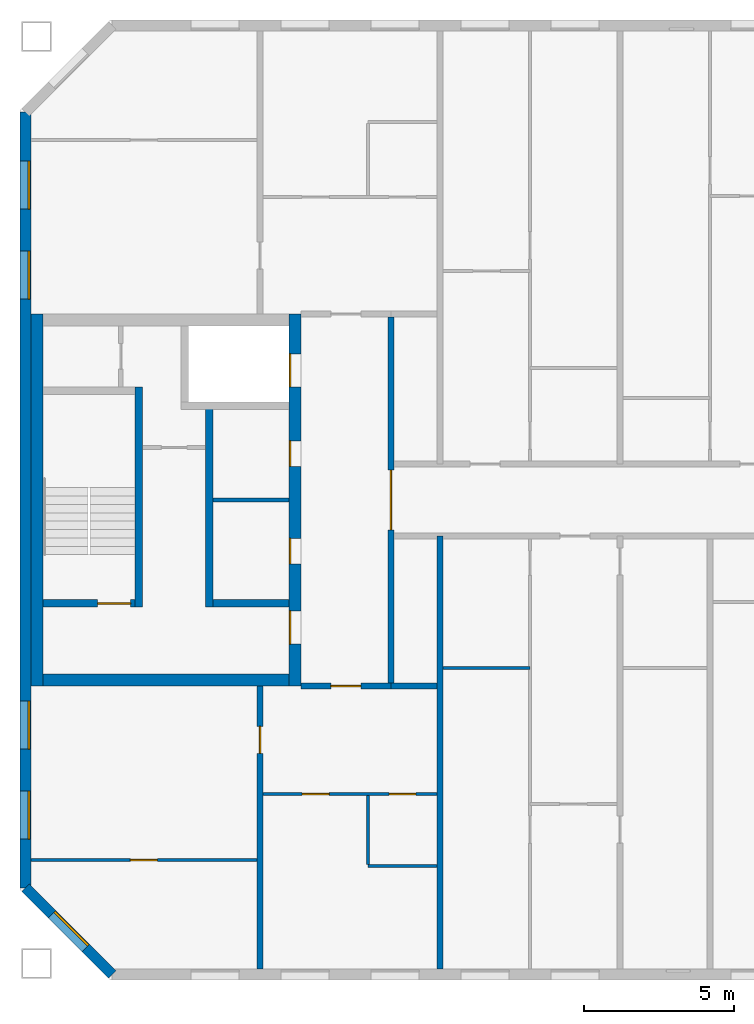
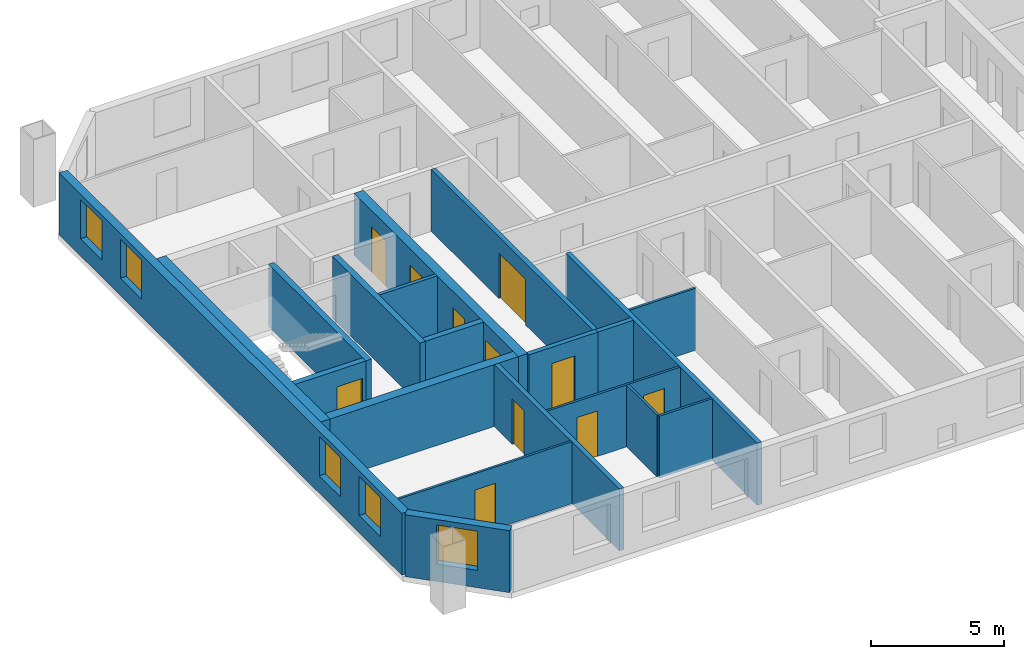
# One storey, part 4 of 19: 20 walls, 11 doors, 5 windows, 16 openings.
"""IFC4 building model written with IfcOpenShell, lengths in metres."""

from ifc_helpers import new_model, si_unit, direction, frame, frame_2d, origin, place, context, subcontext, project, spatial, rectangle, extrude, material, layer, layer_set, type_object, element, fill, save


model = new_model("IFC4")

# Units and contexts
model_context = context("Model", 3, precision=1e-05, world=origin(), true_north=direction((0.0, 1.0)))
body_context = subcontext(model_context, "Body", "Model", "MODEL_VIEW")
ifc_project = project(units=[si_unit("LENGTHUNIT", "METRE"), si_unit("AREAUNIT", "SQUARE_METRE"), si_unit("VOLUMEUNIT", "CUBIC_METRE"), si_unit("PLANEANGLEUNIT", "RADIAN"), si_unit("MASSUNIT", "GRAM", prefix="KILO")], contexts=[model_context])

# Site, building, storey
site_placement = place(None, origin())
site = spatial("IfcSite", under=ifc_project, at=site_placement, CompositionType="ELEMENT")
building_placement = place(site_placement, origin())
building = spatial("IfcBuilding", under=site, at=building_placement, Name="Tuart Gate Housing", CompositionType="ELEMENT")
storey_placement = place(building_placement, frame((0.0, 0.0, 233.800048828125)))
storey = spatial("IfcBuildingStorey", under=building, at=storey_placement, Name="L66", CompositionType="ELEMENT", Elevation=233.800048828125)

# Wall, opening, window
ifc_material_1 = material(Name="Brick", Category="masonry")
ifc_layer_1 = layer(ifc_material_1, 0.360107421875)
ifc_layer_set_1 = layer_set([ifc_layer_1], Name="Brick pier and spandrel wall 360")
wall_type_1 = type_object("IfcWallType", Name="Brick pier and spandrel wall 360", PredefinedType="STANDARD", material=ifc_layer_set_1)
wall_1_placement = place(storey_placement, frame((32.179931640625, 57.07470703125, 0.0), z_axis=(0.0, 0.0, 1.0), x_axis=(0.707106781187, -0.707106781187, 0.0)))
wall_1 = element("IfcWall", 1, at=wall_1_placement, inside=storey, type_object=wall_type_1, Name="External wall BLK-SW L66", PredefinedType="STANDARD", context=body_context, shape_type="SweptSolid", body=[
    extrude(rectangle(XDim=4.09375, YDim=0.360107421875, at=frame_2d((2.046875, 0.0))), origin(), (0.0, 0.0, 1.0), 2.849853515625),
])
opening_1_placement = place(wall_1_placement, frame((1.2470703125, 0.0, 0.800048828125)))
opening_1 = element("IfcOpeningElement", 2, at=opening_1_placement, cuts=wall_1, Name="Opening W1", PredefinedType="OPENING", context=body_context, shape_type="SweptSolid", body=[
    extrude(rectangle(XDim=1.60009765625, YDim=1.800048828125, at=frame_2d((0.800048828125, 0.89990234375))), frame((0.0, 0.18994140625, 0.0), z_axis=(0.0, -1.0, 0.0), x_axis=(1.0, 0.0, 0.0)), (0.0, 0.0, 1.0), 0.380126953125),
])
ifc_material_2 = material(Name="Aluminium frame with clear glass", Category="aluminium")
window_type = type_object("IfcWindowType", Name="Punched window 1600 x 1800", PartitioningType="SINGLE_PANEL", PredefinedType="WINDOW", material=ifc_material_2)
window_1_placement = place(opening_1_placement, origin())
window_1 = element("IfcWindow", 3, at=window_1_placement, inside=storey, type_object=window_type, Name="Window W1", OverallHeight=1.800048828125, OverallWidth=1.60009765625, PartitioningType="SINGLE_PANEL", PredefinedType="WINDOW", context=body_context, shape_type="SweptSolid", body=[
    extrude(rectangle(XDim=1.60009765625, YDim=1.800048828125, at=frame_2d((0.800048828125, 0.89990234375))), frame((0.0, 0.150146484375, 0.0), z_axis=(0.0, -1.0, 0.0), x_axis=(1.0, 0.0, 0.0)), (0.0, 0.0, 1.0), 0.06005859375),
])
fill(opening_1, window_1)

# Wall, openings, windows
wall_2_placement = place(storey_placement, frame((32.179931640625, 82.92529296875, 0.0), z_axis=(0.0, 0.0, 1.0), x_axis=(0.0, -1.0, 0.0)))
wall_2 = element("IfcWall", 4, at=wall_2_placement, inside=storey, type_object=wall_type_1, Name="External wall BLK-W L66", PredefinedType="STANDARD", context=body_context, shape_type="SweptSolid", body=[
    extrude(rectangle(XDim=25.850830078125, YDim=0.360107421875, at=frame_2d((12.92529296875, 0.0))), origin(), (0.0, 0.0, 1.0), 2.849853515625),
])
opening_2_placement = place(wall_2_placement, frame((1.62548828125, 0.0, 0.800048828125)))
opening_2 = element("IfcOpeningElement", 5, at=opening_2_placement, cuts=wall_2, Name="Opening W1", PredefinedType="OPENING", context=body_context, shape_type="SweptSolid", body=[
    extrude(rectangle(XDim=1.60009765625, YDim=1.800048828125, at=frame_2d((0.800048828125, 0.89990234375))), frame((0.0, 0.18994140625, 0.0), z_axis=(0.0, -1.0, 0.0), x_axis=(1.0, 0.0, 0.0)), (0.0, 0.0, 1.0), 0.380126953125),
])
opening_3_placement = place(wall_2_placement, frame((4.62548828125, 0.0, 0.800048828125)))
opening_3 = element("IfcOpeningElement", 6, at=opening_3_placement, cuts=wall_2, Name="Opening W1", PredefinedType="OPENING", context=body_context, shape_type="SweptSolid", body=[
    extrude(rectangle(XDim=1.60009765625, YDim=1.800048828125, at=frame_2d((0.800048828125, 0.89990234375))), frame((0.0, 0.18994140625, 0.0), z_axis=(0.0, -1.0, 0.0), x_axis=(1.0, 0.0, 0.0)), (0.0, 0.0, 1.0), 0.380126953125),
])
opening_4_placement = place(wall_2_placement, frame((19.62548828125, 0.0, 0.800048828125)))
opening_4 = element("IfcOpeningElement", 7, at=opening_4_placement, cuts=wall_2, Name="Opening W1", PredefinedType="OPENING", context=body_context, shape_type="SweptSolid", body=[
    extrude(rectangle(XDim=1.60009765625, YDim=1.800048828125, at=frame_2d((0.800048828125, 0.89990234375))), frame((0.0, 0.18994140625, 0.0), z_axis=(0.0, -1.0, 0.0), x_axis=(1.0, 0.0, 0.0)), (0.0, 0.0, 1.0), 0.380126953125),
])
opening_5_placement = place(wall_2_placement, frame((22.62548828125, 0.0, 0.800048828125)))
opening_5 = element("IfcOpeningElement", 8, at=opening_5_placement, cuts=wall_2, Name="Opening W1", PredefinedType="OPENING", context=body_context, shape_type="SweptSolid", body=[
    extrude(rectangle(XDim=1.60009765625, YDim=1.800048828125, at=frame_2d((0.800048828125, 0.89990234375))), frame((0.0, 0.18994140625, 0.0), z_axis=(0.0, -1.0, 0.0), x_axis=(1.0, 0.0, 0.0)), (0.0, 0.0, 1.0), 0.380126953125),
])
window_2_placement = place(opening_2_placement, origin())
window_2 = element("IfcWindow", 9, at=window_2_placement, inside=storey, type_object=window_type, Name="Window W1", OverallHeight=1.800048828125, OverallWidth=1.60009765625, PartitioningType="SINGLE_PANEL", PredefinedType="WINDOW", context=body_context, shape_type="SweptSolid", body=[
    extrude(rectangle(XDim=1.60009765625, YDim=1.800048828125, at=frame_2d((0.800048828125, 0.89990234375))), frame((0.0, 0.150146484375, 0.0), z_axis=(0.0, -1.0, 0.0), x_axis=(1.0, 0.0, 0.0)), (0.0, 0.0, 1.0), 0.06005859375),
])
fill(opening_2, window_2)
window_3_placement = place(opening_3_placement, origin())
window_3 = element("IfcWindow", 10, at=window_3_placement, inside=storey, type_object=window_type, Name="Window W1", OverallHeight=1.800048828125, OverallWidth=1.60009765625, PartitioningType="SINGLE_PANEL", PredefinedType="WINDOW", context=body_context, shape_type="SweptSolid", body=[
    extrude(rectangle(XDim=1.60009765625, YDim=1.800048828125, at=frame_2d((0.800048828125, 0.89990234375))), frame((0.0, 0.150146484375, 0.0), z_axis=(0.0, -1.0, 0.0), x_axis=(1.0, 0.0, 0.0)), (0.0, 0.0, 1.0), 0.06005859375),
])
fill(opening_3, window_3)
window_4_placement = place(opening_4_placement, origin())
window_4 = element("IfcWindow", 11, at=window_4_placement, inside=storey, type_object=window_type, Name="Window W1", OverallHeight=1.800048828125, OverallWidth=1.60009765625, PartitioningType="SINGLE_PANEL", PredefinedType="WINDOW", context=body_context, shape_type="SweptSolid", body=[
    extrude(rectangle(XDim=1.60009765625, YDim=1.800048828125, at=frame_2d((0.800048828125, 0.89990234375))), frame((0.0, 0.150146484375, 0.0), z_axis=(0.0, -1.0, 0.0), x_axis=(1.0, 0.0, 0.0)), (0.0, 0.0, 1.0), 0.06005859375),
])
fill(opening_4, window_4)
window_5_placement = place(opening_5_placement, origin())
window_5 = element("IfcWindow", 12, at=window_5_placement, inside=storey, type_object=window_type, Name="Window W1", OverallHeight=1.800048828125, OverallWidth=1.60009765625, PartitioningType="SINGLE_PANEL", PredefinedType="WINDOW", context=body_context, shape_type="SweptSolid", body=[
    extrude(rectangle(XDim=1.60009765625, YDim=1.800048828125, at=frame_2d((0.800048828125, 0.89990234375))), frame((0.0, 0.150146484375, 0.0), z_axis=(0.0, -1.0, 0.0), x_axis=(1.0, 0.0, 0.0)), (0.0, 0.0, 1.0), 0.06005859375),
])
fill(opening_5, window_5)

# Walls
ifc_material_3 = material(Name="Plasterboard partition")
ifc_layer_2 = layer(ifc_material_3, 0.14990234375)
ifc_layer_set_2 = layer_set([ifc_layer_2], Name="Core partition 150")
wall_type_2 = type_object("IfcWallType", Name="Core partition 150", PredefinedType="PARTITIONING", material=ifc_layer_set_2)
wall_3_placement = place(storey_placement, frame((40.9599609375, 70.0, 0.0), z_axis=(0.0, 0.0, 1.0), x_axis=(-1.0, 0.0, 0.0)))
element("IfcWall", 13, at=wall_3_placement, inside=storey, type_object=wall_type_2, Name="Core partition AK.4", PredefinedType="PARTITIONING", context=body_context, shape_type="SweptSolid", body=[
    extrude(rectangle(XDim=2.52490234375, YDim=0.14990234375, at=frame_2d((1.262451171875, 0.0))), origin(), (0.0, 0.0, 1.0), 2.849853515625),
])
ifc_material_4 = material(Name="Concrete C40", Category="concrete")
ifc_layer_3 = layer(ifc_material_4, 0.25)
ifc_layer_set_3 = layer_set([ifc_layer_3], Name="Core wall 250 C40")
wall_type_3 = type_object("IfcWallType", Name="Core wall 250 C40", PredefinedType="SHEAR", material=ifc_layer_set_3)
wall_4_placement = place(storey_placement, frame((40.9599609375, 66.550048828125, 0.0), z_axis=(0.0, 0.0, 1.0), x_axis=(-1.0, 0.0, 0.0)))
element("IfcWall", 14, at=wall_4_placement, inside=storey, type_object=wall_type_3, Name="Core wall AK.5", PredefinedType="SHEAR", context=body_context, shape_type="SweptSolid", body=[
    extrude(rectangle(XDim=2.52490234375, YDim=0.25, at=frame_2d((1.262451171875, 0.0))), origin(), (0.0, 0.0, 1.0), 2.849853515625),
])

# Wall, opening, door
wall_5_placement = place(storey_placement, frame((35.8349609375, 66.550048828125, 0.0), z_axis=(0.0, 0.0, 1.0), x_axis=(-1.0, 0.0, 0.0)))
wall_5 = element("IfcWall", 15, at=wall_5_placement, inside=storey, type_object=wall_type_3, Name="Core wall AK.6", PredefinedType="SHEAR", context=body_context, shape_type="SweptSolid", body=[
    extrude(rectangle(XDim=3.074951171875, YDim=0.25, at=frame_2d((1.53759765625, 0.0))), origin(), (0.0, 0.0, 1.0), 2.849853515625),
])
opening_6_placement = place(wall_5_placement, frame((0.14990234375, 0.0, 0.0)))
opening_6 = element("IfcOpeningElement", 16, at=opening_6_placement, cuts=wall_5, Name="Opening D2478", PredefinedType="OPENING", context=body_context, shape_type="SweptSolid", body=[
    extrude(rectangle(XDim=1.10009765625, YDim=2.10009765625, at=frame_2d((0.550048828125, 1.050048828125))), frame((0.0, 0.135009765625, 0.0), z_axis=(0.0, -1.0, 0.0), x_axis=(1.0, 0.0, 0.0)), (0.0, 0.0, 1.0), 0.27001953125),
])
ifc_material_5 = material(Name="Steel fire door", Category="steel")
door_type_1 = type_object("IfcDoorType", Name="Stair door 1100 x 2100 RH", OperationType="SINGLE_SWING_RIGHT", PredefinedType="DOOR", material=ifc_material_5)
door_1_placement = place(opening_6_placement, frame((1.10009765625, 0.0, 0.0), z_axis=(0.0, 0.0, 1.0), x_axis=(-1.0, 0.0, 0.0)))
door_1 = element("IfcDoor", 17, at=door_1_placement, inside=storey, type_object=door_type_1, Name="Stair door AK.SD", OperationType="SINGLE_SWING_RIGHT", OverallHeight=2.10009765625, OverallWidth=1.10009765625, PredefinedType="DOOR", context=body_context, shape_type="SweptSolid", body=[
    extrude(rectangle(XDim=1.10009765625, YDim=2.10009765625, at=frame_2d((0.550048828125, 1.050048828125))), frame((0.0, 0.025146484375, 0.0), z_axis=(0.0, -1.0, 0.0), x_axis=(1.0, 0.0, 0.0)), (0.0, 0.0, 1.0), 0.050048828125),
])
fill(opening_6, door_1)

# Walls
wall_6_placement = place(storey_placement, frame((38.31005859375, 73.02490234375, 0.0), z_axis=(0.0, 0.0, 1.0), x_axis=(0.0, -1.0, 0.0)))
element("IfcWall", 18, at=wall_6_placement, inside=storey, type_object=wall_type_3, Name="Core wall AK.7", PredefinedType="SHEAR", context=body_context, shape_type="SweptSolid", body=[
    extrude(rectangle(XDim=6.599853515625, YDim=0.25, at=frame_2d((3.2998046875, 0.0))), origin(), (0.0, 0.0, 1.0), 2.849853515625),
])
wall_7_placement = place(storey_placement, frame((35.9599609375, 73.77490234375, 0.0), z_axis=(0.0, 0.0, 1.0), x_axis=(0.0, -1.0, 0.0)))
element("IfcWall", 19, at=wall_7_placement, inside=storey, type_object=wall_type_3, Name="Core wall AK.9", PredefinedType="SHEAR", context=body_context, shape_type="SweptSolid", body=[
    extrude(rectangle(XDim=7.349853515625, YDim=0.25, at=frame_2d((3.6748046875, 0.0))), origin(), (0.0, 0.0, 1.0), 2.849853515625),
])

# Wall, openings, doors
ifc_material_6 = material(Name="Concrete C40", Category="concrete")
ifc_layer_4 = layer(ifc_material_6, 0.39990234375)
ifc_layer_set_4 = layer_set([ifc_layer_4], Name="Core wall 400 C40")
wall_type_4 = type_object("IfcWallType", Name="Core wall 400 C40", PredefinedType="SHEAR", material=ifc_layer_set_4)
wall_8_placement = place(storey_placement, frame((41.159912109375, 76.199951171875, 0.0), z_axis=(0.0, 0.0, 1.0), x_axis=(0.0, -1.0, 0.0)))
wall_8 = element("IfcWall", 20, at=wall_8_placement, inside=storey, type_object=wall_type_4, Name="Core wall AK front", PredefinedType="SHEAR", context=body_context, shape_type="SweptSolid", body=[
    extrude(rectangle(XDim=12.39990234375, YDim=0.39990234375, at=frame_2d((6.199951171875, 0.0))), origin(), (0.0, 0.0, 1.0), 2.849853515625),
])
opening_7_placement = place(wall_8_placement, frame((1.324951171875, 0.0, 0.0)))
opening_7 = element("IfcOpeningElement", 21, at=opening_7_placement, cuts=wall_8, Name="Opening LD-FA2", PredefinedType="OPENING", context=body_context, shape_type="SweptSolid", body=[
    extrude(rectangle(XDim=1.10009765625, YDim=2.10009765625, at=frame_2d((0.550048828125, 1.050048828125))), frame((0.0, 0.2099609375, 0.0), z_axis=(0.0, -1.0, 0.0), x_axis=(1.0, 0.0, 0.0)), (0.0, 0.0, 1.0), 0.419921875),
])
opening_8_placement = place(wall_8_placement, frame((4.22509765625, 0.0, 0.0)))
opening_8 = element("IfcOpeningElement", 22, at=opening_8_placement, cuts=wall_8, Name="Opening D2469", PredefinedType="OPENING", context=body_context, shape_type="SweptSolid", body=[
    extrude(rectangle(XDim=0.85009765625, YDim=2.10009765625, at=frame_2d((0.425048828125, 1.050048828125))), frame((0.0, 0.2099609375, 0.0), z_axis=(0.0, -1.0, 0.0), x_axis=(1.0, 0.0, 0.0)), (0.0, 0.0, 1.0), 0.419921875),
])
opening_9_placement = place(wall_8_placement, frame((7.47509765625, 0.0, 0.0)))
opening_9 = element("IfcOpeningElement", 23, at=opening_9_placement, cuts=wall_8, Name="Opening D2470", PredefinedType="OPENING", context=body_context, shape_type="SweptSolid", body=[
    extrude(rectangle(XDim=0.85009765625, YDim=2.10009765625, at=frame_2d((0.425048828125, 1.050048828125))), frame((0.0, 0.2099609375, 0.0), z_axis=(0.0, -1.0, 0.0), x_axis=(1.0, 0.0, 0.0)), (0.0, 0.0, 1.0), 0.419921875),
])
opening_10_placement = place(wall_8_placement, frame((9.89990234375, 0.0, 0.0)))
opening_10 = element("IfcOpeningElement", 24, at=opening_10_placement, cuts=wall_8, Name="Opening D2468", PredefinedType="OPENING", context=body_context, shape_type="SweptSolid", body=[
    extrude(rectangle(XDim=1.10009765625, YDim=2.10009765625, at=frame_2d((0.550048828125, 1.050048828125))), frame((0.0, 0.2099609375, 0.0), z_axis=(0.0, -1.0, 0.0), x_axis=(1.0, 0.0, 0.0)), (0.0, 0.0, 1.0), 0.419921875),
])
ifc_material_7 = material(Name="Stainless steel", Category="steel")
door_type_2 = type_object("IfcDoorType", Name="Landing door 1100 x 2100", OperationType="DOUBLE_DOOR_SLIDING", PredefinedType="DOOR", material=ifc_material_7)
door_2_placement = place(opening_7_placement, origin())
door_2 = element("IfcDoor", 25, at=door_2_placement, inside=storey, type_object=door_type_2, Name="Lift landing door FA2", OperationType="DOUBLE_DOOR_SLIDING", OverallHeight=2.10009765625, OverallWidth=1.10009765625, PredefinedType="DOOR", context=body_context, shape_type="SweptSolid", body=[
    extrude(rectangle(XDim=1.10009765625, YDim=2.10009765625, at=frame_2d((0.550048828125, 1.050048828125))), frame((0.0, -0.134765625, 0.0), z_axis=(0.0, -1.0, 0.0), x_axis=(1.0, 0.0, 0.0)), (0.0, 0.0, 1.0), 0.050048828125),
])
fill(opening_7, door_2)
ifc_material_8 = material(Name="Steel fire door", Category="steel")
door_type_3 = type_object("IfcDoorType", Name="Lobby door 1100 x 2100 RH", OperationType="SINGLE_SWING_RIGHT", PredefinedType="DOOR", material=ifc_material_8)
door_3_placement = place(opening_10_placement, frame((1.10009765625, 0.0, 0.0), z_axis=(0.0, 0.0, 1.0), x_axis=(-1.0, 0.0, 0.0)))
door_3 = element("IfcDoor", 26, at=door_3_placement, inside=storey, type_object=door_type_3, Name="Lobby entry door AK.EN", OperationType="SINGLE_SWING_RIGHT", OverallHeight=2.10009765625, OverallWidth=1.10009765625, PredefinedType="DOOR", context=body_context, shape_type="SweptSolid", body=[
    extrude(rectangle(XDim=1.10009765625, YDim=2.10009765625, at=frame_2d((0.550048828125, 1.050048828125))), frame((0.0, 0.184814453125, 0.0), z_axis=(0.0, -1.0, 0.0), x_axis=(1.0, 0.0, 0.0)), (0.0, 0.0, 1.0), 0.050048828125),
])
fill(opening_10, door_3)
ifc_material_9 = material(Name="Steel fire door", Category="steel")
door_type_4 = type_object("IfcDoorType", Name="Service door 850 x 2100 RH", OperationType="SINGLE_SWING_RIGHT", PredefinedType="DOOR", material=ifc_material_9)
door_4_placement = place(opening_8_placement, frame((0.85009765625, 0.0, 0.0), z_axis=(0.0, 0.0, 1.0), x_axis=(-1.0, 0.0, 0.0)))
door_4 = element("IfcDoor", 27, at=door_4_placement, inside=storey, type_object=door_type_4, Name="Service room door AK.FR1", OperationType="SINGLE_SWING_RIGHT", OverallHeight=2.10009765625, OverallWidth=0.85009765625, PredefinedType="DOOR", context=body_context, shape_type="SweptSolid", body=[
    extrude(rectangle(XDim=0.85009765625, YDim=2.10009765625, at=frame_2d((0.425048828125, 1.050048828125))), frame((0.0, 0.184814453125, 0.0), z_axis=(0.0, -1.0, 0.0), x_axis=(1.0, 0.0, 0.0)), (0.0, 0.0, 1.0), 0.050048828125),
])
fill(opening_8, door_4)
door_5_placement = place(opening_9_placement, frame((0.85009765625, 0.0, 0.0), z_axis=(0.0, 0.0, 1.0), x_axis=(-1.0, 0.0, 0.0)))
door_5 = element("IfcDoor", 28, at=door_5_placement, inside=storey, type_object=door_type_4, Name="Service room door AK.FR2", OperationType="SINGLE_SWING_RIGHT", OverallHeight=2.10009765625, OverallWidth=0.85009765625, PredefinedType="DOOR", context=body_context, shape_type="SweptSolid", body=[
    extrude(rectangle(XDim=0.85009765625, YDim=2.10009765625, at=frame_2d((0.425048828125, 1.050048828125))), frame((0.0, 0.184814453125, 0.0), z_axis=(0.0, -1.0, 0.0), x_axis=(1.0, 0.0, 0.0)), (0.0, 0.0, 1.0), 0.050048828125),
])
fill(opening_9, door_5)

# Walls
wall_9_placement = place(storey_placement, frame((32.56005859375, 76.199951171875, 0.0), z_axis=(0.0, 0.0, 1.0), x_axis=(0.0, -1.0, 0.0)))
element("IfcWall", 29, at=wall_9_placement, inside=storey, type_object=wall_type_4, Name="Core wall AK back", PredefinedType="SHEAR", context=body_context, shape_type="SweptSolid", body=[
    extrude(rectangle(XDim=12.39990234375, YDim=0.39990234375, at=frame_2d((6.199951171875, 0.0))), origin(), (0.0, 0.0, 1.0), 2.849853515625),
])
wall_10_placement = place(storey_placement, frame((40.9599609375, 64.0, 0.0), z_axis=(0.0, 0.0, 1.0), x_axis=(-1.0, 0.0, 0.0)))
element("IfcWall", 30, at=wall_10_placement, inside=storey, type_object=wall_type_4, Name="Core wall AK north", PredefinedType="SHEAR", context=body_context, shape_type="SweptSolid", body=[
    extrude(rectangle(XDim=8.199951171875, YDim=0.39990234375, at=frame_2d((4.10009765625, 0.0))), origin(), (0.0, 0.0, 1.0), 2.849853515625),
])

# Wall, opening, door
ifc_material_10 = material(Name="Concrete masonry 15 MPa", Category="masonry")
ifc_layer_5 = layer(ifc_material_10, 0.199951171875)
ifc_layer_set_5 = layer_set([ifc_layer_5], Name="Enclosure wall masonry 200")
wall_type_5 = type_object("IfcWallType", Name="Enclosure wall masonry 200", PredefinedType="PARTITIONING", material=ifc_layer_set_5)
wall_11_placement = place(storey_placement, frame((41.360107421875, 63.800048828125, 0.0), z_axis=(0.0, 0.0, 1.0), x_axis=(1.0, 0.0, 0.0)))
wall_11 = element("IfcWall", 31, at=wall_11_placement, inside=storey, type_object=wall_type_5, Name="Enclosure wall masonry 200", PredefinedType="PARTITIONING", context=body_context, shape_type="SweptSolid", body=[
    extrude(rectangle(XDim=3.0, YDim=0.199951171875, at=frame_2d((1.5, 0.0))), origin(), (0.0, 0.0, 1.0), 2.849853515625),
])
opening_11_placement = place(wall_11_placement, frame((1.0, 0.0, 0.0)))
opening_11 = element("IfcOpeningElement", 32, at=opening_11_placement, cuts=wall_11, Name="Opening D2479", PredefinedType="OPENING", context=body_context, shape_type="SweptSolid", body=[
    extrude(rectangle(XDim=1.0, YDim=2.10009765625, at=frame_2d((0.5, 1.050048828125))), frame((0.0, 0.10986328125, 0.0), z_axis=(0.0, -1.0, 0.0), x_axis=(1.0, 0.0, 0.0)), (0.0, 0.0, 1.0), 0.219970703125),
])
ifc_material_11 = material(Name="Timber door leaf in steel frame", Category="steel")
door_type_5 = type_object("IfcDoorType", Name="Flat entrance door 1000 RH", OperationType="SINGLE_SWING_RIGHT", PredefinedType="DOOR", material=ifc_material_11)
door_6_placement = place(opening_11_placement, frame((1.0, 0.0, 0.0), z_axis=(0.0, 0.0, 1.0), x_axis=(-1.0, 0.0, 0.0)))
door_6 = element("IfcDoor", 33, at=door_6_placement, inside=storey, type_object=door_type_5, Name="Flat entrance door", OperationType="SINGLE_SWING_RIGHT", OverallHeight=2.10009765625, OverallWidth=1.0, PredefinedType="DOOR", context=body_context, shape_type="SweptSolid", body=[
    extrude(rectangle(XDim=1.0, YDim=2.10009765625, at=frame_2d((0.5, 1.050048828125))), frame((0.0, 0.025146484375, 0.0), z_axis=(0.0, -1.0, 0.0), x_axis=(1.0, 0.0, 0.0)), (0.0, 0.0, 1.0), 0.050048828125),
])
fill(opening_11, door_6)

ifc_material_12 = material(Name="Plasterboard partition")
ifc_layer_6 = layer(ifc_material_12, 0.199951171875)
ifc_layer_set_6 = layer_set([ifc_layer_6], Name="Lobby wall 200")
wall_type_6 = type_object("IfcWallType", Name="Lobby wall 200", PredefinedType="PARTITIONING", material=ifc_layer_set_6)
wall_12_placement = place(storey_placement, frame((44.360107421875, 63.89990234375, 0.0), z_axis=(0.0, 0.0, 1.0), x_axis=(0.0, 1.0, 0.0)))
wall_12 = element("IfcWall", 34, at=wall_12_placement, inside=storey, type_object=wall_type_6, Name="Lift lobby wall AK", PredefinedType="PARTITIONING", context=body_context, shape_type="SweptSolid", body=[
    extrude(rectangle(XDim=12.2001953125, YDim=0.199951171875, at=frame_2d((6.10009765625, 0.0))), origin(), (0.0, 0.0, 1.0), 2.849853515625),
])
opening_12_placement = place(wall_12_placement, frame((5.10009765625, 0.0, 0.0)))
opening_12 = element("IfcOpeningElement", 35, at=opening_12_placement, cuts=wall_12, Name="Opening D2471", PredefinedType="OPENING", context=body_context, shape_type="SweptSolid", body=[
    extrude(rectangle(XDim=2.0, YDim=2.10009765625, at=frame_2d((1.0, 1.050048828125))), frame((0.0, 0.10986328125, 0.0), z_axis=(0.0, -1.0, 0.0), x_axis=(1.0, 0.0, 0.0)), (0.0, 0.0, 1.0), 0.219970703125),
])
ifc_material_13 = material(Name="Steel fire door", Category="steel")
door_type_6 = type_object("IfcDoorType", Name="Smoke door 2000 x 2100", OperationType="DOUBLE_DOOR_SINGLE_SWING", PredefinedType="DOOR", material=ifc_material_13)
door_7_placement = place(opening_12_placement, origin())
door_7 = element("IfcDoor", 36, at=door_7_placement, inside=storey, type_object=door_type_6, Name="Lift lobby smoke door AK", OperationType="DOUBLE_DOOR_SINGLE_SWING", OverallHeight=2.10009765625, OverallWidth=2.0, PredefinedType="DOOR", context=body_context, shape_type="SweptSolid", body=[
    extrude(rectangle(XDim=2.0, YDim=2.10009765625, at=frame_2d((1.0, 1.050048828125))), frame((0.0, 0.02490234375, 0.0), z_axis=(0.0, -1.0, 0.0), x_axis=(1.0, 0.0, 0.0)), (0.0, 0.0, 1.0), 0.050048828125),
])
fill(opening_12, door_7)

# Wall
ifc_material_14 = material(Name="Gypsum board on steel studs", Category="steel")
ifc_layer_7 = layer(ifc_material_14, 0.10009765625)
ifc_layer_set_7 = layer_set([ifc_layer_7], Name="Partition 100")
wall_type_7 = type_object("IfcWallType", Name="Partition 100", PredefinedType="PARTITIONING", material=ifc_layer_set_7)
wall_13_placement = place(storey_placement, frame((43.60009765625, 57.800048828125, 0.0), z_axis=(0.0, 0.0, 1.0), x_axis=(1.0, 0.0, 0.0)))
element("IfcWall", 37, at=wall_13_placement, inside=storey, type_object=wall_type_7, Name="Partition 100", PredefinedType="PARTITIONING", context=body_context, shape_type="SweptSolid", body=[
    extrude(rectangle(XDim=2.2998046875, YDim=0.10009765625, at=frame_2d((1.14990234375, 0.0))), origin(), (0.0, 0.0, 1.0), 2.849853515625),
])

# Wall, opening, door
wall_14_placement = place(storey_placement, frame((32.360107421875, 58.0, 0.0), z_axis=(0.0, 0.0, 1.0), x_axis=(1.0, 0.0, 0.0)))
wall_14 = element("IfcWall", 38, at=wall_14_placement, inside=storey, type_object=wall_type_7, Name="Partition 100", PredefinedType="PARTITIONING", context=body_context, shape_type="SweptSolid", body=[
    extrude(rectangle(XDim=7.539794921875, YDim=0.10009765625, at=frame_2d((3.77001953125, 0.0))), origin(), (0.0, 0.0, 1.0), 2.849853515625),
])
opening_13_placement = place(wall_14_placement, frame((3.320068359375, 0.0, 0.0)))
opening_13 = element("IfcOpeningElement", 39, at=opening_13_placement, cuts=wall_14, Name="Opening D2498", PredefinedType="OPENING", context=body_context, shape_type="SweptSolid", body=[
    extrude(rectangle(XDim=0.89990234375, YDim=2.10009765625, at=frame_2d((0.449951171875, 1.050048828125))), frame((0.0, 0.06005859375, 0.0), z_axis=(0.0, -1.0, 0.0), x_axis=(1.0, 0.0, 0.0)), (0.0, 0.0, 1.0), 0.1201171875),
])
ifc_material_15 = material(Name="Timber door leaf in steel frame", Category="steel")
door_type_7 = type_object("IfcDoorType", Name="Internal door 900 RH", OperationType="SINGLE_SWING_RIGHT", PredefinedType="DOOR", material=ifc_material_15)
door_8_placement = place(opening_13_placement, frame((0.89990234375, 0.0, 0.0), z_axis=(0.0, 0.0, 1.0), x_axis=(-1.0, 0.0, 0.0)))
door_8 = element("IfcDoor", 40, at=door_8_placement, inside=storey, type_object=door_type_7, Name="Internal door", OperationType="SINGLE_SWING_RIGHT", OverallHeight=2.10009765625, OverallWidth=0.89990234375, PredefinedType="DOOR", context=body_context, shape_type="SweptSolid", body=[
    extrude(rectangle(XDim=0.89990234375, YDim=2.10009765625, at=frame_2d((0.449951171875, 1.050048828125))), frame((0.0, 0.025146484375, 0.0), z_axis=(0.0, -1.0, 0.0), x_axis=(1.0, 0.0, 0.0)), (0.0, 0.0, 1.0), 0.050048828125),
])
fill(opening_13, door_8)

# Wall, openings, doors
wall_15_placement = place(storey_placement, frame((40.10009765625, 60.199951171875, 0.0), z_axis=(0.0, 0.0, 1.0), x_axis=(1.0, 0.0, 0.0)))
wall_15 = element("IfcWall", 41, at=wall_15_placement, inside=storey, type_object=wall_type_7, Name="Partition 100", PredefinedType="PARTITIONING", context=body_context, shape_type="SweptSolid", body=[
    extrude(rectangle(XDim=5.7998046875, YDim=0.10009765625, at=frame_2d((2.89990234375, 0.0))), origin(), (0.0, 0.0, 1.0), 2.849853515625),
])
opening_14_placement = place(wall_15_placement, frame((1.300048828125, 0.0, 0.0)))
opening_14 = element("IfcOpeningElement", 42, at=opening_14_placement, cuts=wall_15, Name="Opening D2491", PredefinedType="OPENING", context=body_context, shape_type="SweptSolid", body=[
    extrude(rectangle(XDim=0.89990234375, YDim=2.10009765625, at=frame_2d((0.449951171875, 1.050048828125))), frame((0.0, 0.06005859375, 0.0), z_axis=(0.0, -1.0, 0.0), x_axis=(1.0, 0.0, 0.0)), (0.0, 0.0, 1.0), 0.1201171875),
])
opening_15_placement = place(wall_15_placement, frame((4.199951171875, 0.0, 0.0)))
opening_15 = element("IfcOpeningElement", 43, at=opening_15_placement, cuts=wall_15, Name="Opening D2490", PredefinedType="OPENING", context=body_context, shape_type="SweptSolid", body=[
    extrude(rectangle(XDim=0.89990234375, YDim=2.10009765625, at=frame_2d((0.449951171875, 1.050048828125))), frame((0.0, 0.06005859375, 0.0), z_axis=(0.0, -1.0, 0.0), x_axis=(1.0, 0.0, 0.0)), (0.0, 0.0, 1.0), 0.1201171875),
])
ifc_material_16 = material(Name="Timber door leaf in steel frame", Category="steel")
door_type_8 = type_object("IfcDoorType", Name="Bathroom door 900 RH", OperationType="SINGLE_SWING_RIGHT", PredefinedType="DOOR", material=ifc_material_16)
door_9_placement = place(opening_15_placement, frame((0.89990234375, 0.0, 0.0), z_axis=(0.0, 0.0, 1.0), x_axis=(-1.0, 0.0, 0.0)))
door_9 = element("IfcDoor", 44, at=door_9_placement, inside=storey, type_object=door_type_8, Name="Bathroom door", OperationType="SINGLE_SWING_RIGHT", OverallHeight=2.10009765625, OverallWidth=0.89990234375, PredefinedType="DOOR", context=body_context, shape_type="SweptSolid", body=[
    extrude(rectangle(XDim=0.89990234375, YDim=2.10009765625, at=frame_2d((0.449951171875, 1.050048828125))), frame((0.0, 0.025146484375, 0.0), z_axis=(0.0, -1.0, 0.0), x_axis=(1.0, 0.0, 0.0)), (0.0, 0.0, 1.0), 0.050048828125),
])
fill(opening_15, door_9)
ifc_material_17 = material(Name="Timber door leaf in steel frame", Category="steel")
door_type_9 = type_object("IfcDoorType", Name="Internal door 900", OperationType="SINGLE_SWING_LEFT", PredefinedType="DOOR", material=ifc_material_17)
door_10_placement = place(opening_14_placement, frame((0.89990234375, 0.0, 0.0), z_axis=(0.0, 0.0, 1.0), x_axis=(-1.0, 0.0, 0.0)))
door_10 = element("IfcDoor", 45, at=door_10_placement, inside=storey, type_object=door_type_9, Name="Internal door", OperationType="SINGLE_SWING_LEFT", OverallHeight=2.10009765625, OverallWidth=0.89990234375, PredefinedType="DOOR", context=body_context, shape_type="SweptSolid", body=[
    extrude(rectangle(XDim=0.89990234375, YDim=2.10009765625, at=frame_2d((0.449951171875, 1.050048828125))), frame((0.0, 0.025146484375, 0.0), z_axis=(0.0, -1.0, 0.0), x_axis=(1.0, 0.0, 0.0)), (0.0, 0.0, 1.0), 0.050048828125),
])
fill(opening_14, door_10)

# Walls
wall_16_placement = place(storey_placement, frame((46.10009765625, 64.39990234375, 0.0), z_axis=(0.0, 0.0, 1.0), x_axis=(1.0, 0.0, 0.0)))
element("IfcWall", 46, at=wall_16_placement, inside=storey, type_object=wall_type_7, Name="Partition 100", PredefinedType="PARTITIONING", context=body_context, shape_type="SweptSolid", body=[
    extrude(rectangle(XDim=2.89990234375, YDim=0.10009765625, at=frame_2d((1.449951171875, 0.0))), origin(), (0.0, 0.0, 1.0), 2.849853515625),
])
wall_17_placement = place(storey_placement, frame((43.60009765625, 57.85009765625, 0.0), z_axis=(0.0, 0.0, 1.0), x_axis=(0.0, 1.0, 0.0)))
element("IfcWall", 47, at=wall_17_placement, inside=storey, type_object=wall_type_7, Name="Partition 100", PredefinedType="PARTITIONING", context=body_context, shape_type="SweptSolid", body=[
    extrude(rectangle(XDim=2.2998046875, YDim=0.10009765625, at=frame_2d((1.14990234375, 0.0))), origin(), (0.0, 0.0, 1.0), 2.849853515625),
])

# Wall, opening, door
ifc_material_18 = material(Name="Concrete C40", Category="concrete")
ifc_layer_8 = layer(ifc_material_18, 0.199951171875)
ifc_layer_set_8 = layer_set([ifc_layer_8], Name="Party wall concrete C40 200")
wall_type_8 = type_object("IfcWallType", Name="Party wall concrete C40 200", PredefinedType="SOLIDWALL", material=ifc_layer_set_8)
wall_18_placement = place(storey_placement, frame((40.0, 54.360107421875, 0.0), z_axis=(0.0, 0.0, 1.0), x_axis=(0.0, 1.0, 0.0)))
wall_18 = element("IfcWall", 48, at=wall_18_placement, inside=storey, type_object=wall_type_8, Name="Party wall concrete C40 200", PredefinedType="SOLIDWALL", context=body_context, shape_type="SweptSolid", body=[
    extrude(rectangle(XDim=9.43994140625, YDim=0.199951171875, at=frame_2d((4.719970703125, 0.0))), origin(), (0.0, 0.0, 1.0), 2.849853515625),
])
opening_16_placement = place(wall_18_placement, frame((7.18994140625, 0.0, 0.0)))
opening_16 = element("IfcOpeningElement", 49, at=opening_16_placement, cuts=wall_18, Name="Opening D2495", PredefinedType="OPENING", context=body_context, shape_type="SweptSolid", body=[
    extrude(rectangle(XDim=0.89990234375, YDim=2.10009765625, at=frame_2d((0.449951171875, 1.050048828125))), frame((0.0, 0.10986328125, 0.0), z_axis=(0.0, -1.0, 0.0), x_axis=(1.0, 0.0, 0.0)), (0.0, 0.0, 1.0), 0.219970703125),
])
door_11_placement = place(opening_16_placement, frame((0.89990234375, 0.0, 0.0), z_axis=(0.0, 0.0, 1.0), x_axis=(-1.0, 0.0, 0.0)))
door_11 = element("IfcDoor", 50, at=door_11_placement, inside=storey, type_object=door_type_7, Name="Internal door", OperationType="SINGLE_SWING_RIGHT", OverallHeight=2.10009765625, OverallWidth=0.89990234375, PredefinedType="DOOR", context=body_context, shape_type="SweptSolid", body=[
    extrude(rectangle(XDim=0.89990234375, YDim=2.10009765625, at=frame_2d((0.449951171875, 1.050048828125))), frame((0.0, 0.025146484375, 0.0), z_axis=(0.0, -1.0, 0.0), x_axis=(1.0, 0.0, 0.0)), (0.0, 0.0, 1.0), 0.050048828125),
])
fill(opening_16, door_11)

# Walls
wall_19_placement = place(storey_placement, frame((46.0, 54.360107421875, 0.0), z_axis=(0.0, 0.0, 1.0), x_axis=(0.0, 1.0, 0.0)))
element("IfcWall", 51, at=wall_19_placement, inside=storey, type_object=wall_type_8, Name="Party wall concrete C40 200", PredefinedType="SOLIDWALL", context=body_context, shape_type="SweptSolid", body=[
    extrude(rectangle(XDim=14.43994140625, YDim=0.199951171875, at=frame_2d((7.219970703125, 0.0))), origin(), (0.0, 0.0, 1.0), 2.849853515625),
])
ifc_material_19 = material(Name="Concrete masonry 15 MPa", Category="masonry")
ifc_layer_9 = layer(ifc_material_19, 0.199951171875)
ifc_layer_set_9 = layer_set([ifc_layer_9], Name="Party wall masonry 200")
wall_type_9 = type_object("IfcWallType", Name="Party wall masonry 200", PredefinedType="PARTITIONING", material=ifc_layer_set_9)
wall_20_placement = place(storey_placement, frame((44.360107421875, 63.800048828125, 0.0), z_axis=(0.0, 0.0, 1.0), x_axis=(1.0, 0.0, 0.0)))
element("IfcWall", 52, at=wall_20_placement, inside=storey, type_object=wall_type_9, Name="Party wall masonry 200", PredefinedType="PARTITIONING", context=body_context, shape_type="SweptSolid", body=[
    extrude(rectangle(XDim=1.539794921875, YDim=0.199951171875, at=frame_2d((0.77001953125, 0.0))), origin(), (0.0, 0.0, 1.0), 2.849853515625),
])

save(model, "model.ifc")
